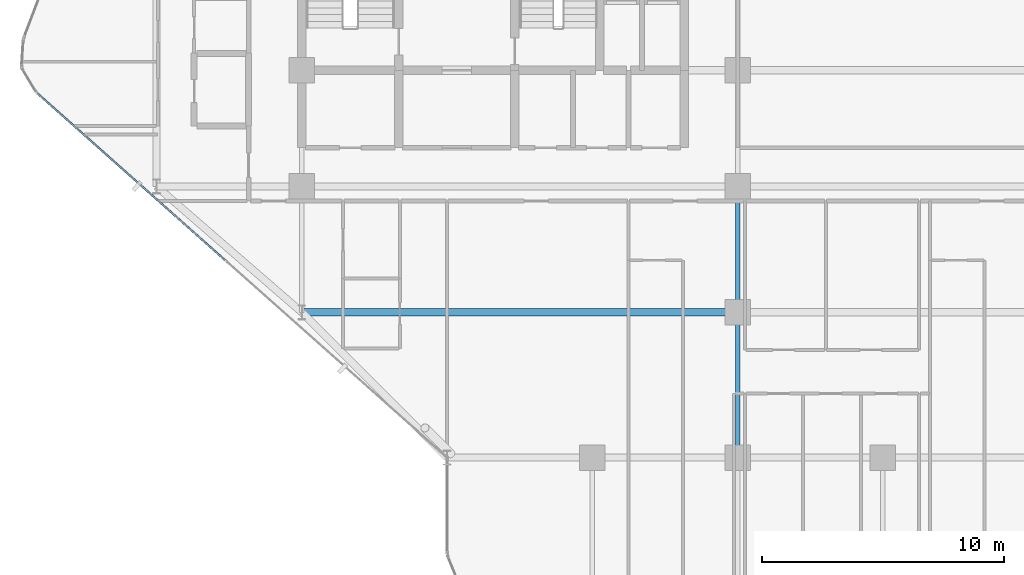
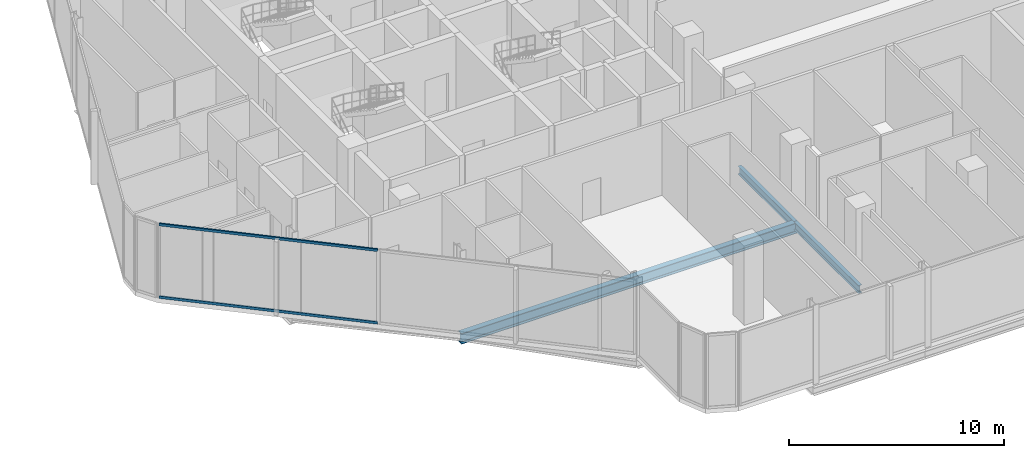
# One storey, part 5 of 30: 3 beams, 2 members, 1 element without a shape of its own.
"""IFC4 building model written with IfcOpenShell, lengths in metres."""

from ifc_helpers import new_model, si_unit, direction, frame, origin, origin_2d, place, context, subcontext, project, spatial, hollow_rectangle, i_section, extrude, material, layer, layer_set, material_profile, profile_set, type_object, element, aggregate, save


model = new_model("IFC4")

# Units and contexts
model_context = context("Model", 3, precision=1e-05, world=origin(), true_north=direction((0.0, 1.0)))
body_context = subcontext(model_context, "Body", "Model", "MODEL_VIEW")
ifc_project = project(units=[si_unit("LENGTHUNIT", "METRE"), si_unit("AREAUNIT", "SQUARE_METRE"), si_unit("VOLUMEUNIT", "CUBIC_METRE"), si_unit("PLANEANGLEUNIT", "RADIAN"), si_unit("MASSUNIT", "GRAM", prefix="KILO")], contexts=[model_context])

# Site, building, storey
site_placement = place(None, origin())
site = spatial("IfcSite", under=ifc_project, at=site_placement, CompositionType="ELEMENT")
building_placement = place(site_placement, origin())
building = spatial("IfcBuilding", under=site, at=building_placement, Name="Keshet Zoharim Tower", CompositionType="ELEMENT")
storey_placement = place(building_placement, frame((0.0, 0.0, 86.39990234375)))
storey = spatial("IfcBuildingStorey", under=building, at=storey_placement, Name="L20", CompositionType="ELEMENT", Elevation=86.39990234375)

# Beams
ifc_material_1 = material(Name="Steel S355", Category="steel")
ifc_material_profile_1 = material_profile(ifc_material_1, i_section(OverallWidth=0.300048828125, OverallDepth=0.60009765625, WebThickness=0.015380859375, FlangeThickness=0.030029296875, FilletRadius=0.027099609375, at=origin_2d()), Name="HEB600")
ifc_profile_set_1 = profile_set([ifc_material_profile_1], Name="Steel S355")
beam_type_1 = type_object("IfcBeamType", Name="BM-LNG-HB600", PredefinedType="BEAM", material=ifc_profile_set_1)
beam_1_placement = place(storey_placement, frame((15.0, 12.699951171875, -0.614990234375), z_axis=(1.0, 0.0, 0.0), x_axis=(0.0, 1.0, 0.0)))
element("IfcBeam", 1, at=beam_1_placement, inside=storey, type_object=beam_type_1, Name="L20 Primary Girder X-009", PredefinedType="BEAM", context=body_context, shape_type="SweptSolid", body=[
    extrude(i_section(OverallWidth=0.300048828125, OverallDepth=0.60009765625, WebThickness=0.015380859375, FlangeThickness=0.030029296875, FilletRadius=0.027099609375, at=origin_2d()), origin(), (0.0, 0.0, 1.0), 18.0),
])
ifc_material_profile_2 = material_profile(ifc_material_1, i_section(OverallWidth=0.18994140625, OverallDepth=0.449951171875, WebThickness=0.009521484375, FlangeThickness=0.0146484375, FilletRadius=0.02099609375, at=origin_2d()), Name="IPE450")
ifc_profile_set_2 = profile_set([ifc_material_profile_2], Name="Steel S355")
beam_type_2 = type_object("IfcBeamType", Name="BM-PRI-IP450", PredefinedType="BEAM", material=ifc_profile_set_2)
beam_2_placement = place(storey_placement, frame((33.0, 6.699951171875, -0.539794921875), z_axis=(0.0, 1.0, 0.0), x_axis=(-1.0, 0.0, 0.0)))
element("IfcBeam", 2, at=beam_2_placement, inside=storey, type_object=beam_type_2, Name="L20 Primary Girder Y-006", PredefinedType="BEAM", context=body_context, shape_type="SweptSolid", body=[
    extrude(i_section(OverallWidth=0.18994140625, OverallDepth=0.449951171875, WebThickness=0.009521484375, FlangeThickness=0.0146484375, FilletRadius=0.02099609375, at=origin_2d()), origin(), (0.0, 0.0, 1.0), 6.0),
])
beam_3_placement = place(storey_placement, frame((33.0, 12.699951171875, -0.539794921875), z_axis=(0.0, 1.0, 0.0), x_axis=(-1.0, 0.0, 0.0)))
element("IfcBeam", 3, at=beam_3_placement, inside=storey, type_object=beam_type_2, Name="L20 Primary Girder Y-007", PredefinedType="BEAM", context=body_context, shape_type="SweptSolid", body=[
    extrude(i_section(OverallWidth=0.18994140625, OverallDepth=0.449951171875, WebThickness=0.009521484375, FlangeThickness=0.0146484375, FilletRadius=0.02099609375, at=origin_2d()), origin(), (0.0, 0.0, 1.0), 5.199951171875),
])

# Curtain wall, members
ifc_material_2 = material(Name="Aluminium 6063-T6", Category="aluminium")
ifc_layer = layer(ifc_material_2, 0.159912109375)
ifc_layer_set = layer_set([ifc_layer], Name="Aluminium 6063-T6")
curtain_wall_type = type_object("IfcCurtainWallType", Name="CW-SYS-03", PredefinedType="NOTDEFINED", material=ifc_layer_set)
curtain_wall_placement = place(storey_placement, origin())
curtain_wall = element("IfcCurtainWall", 4, at=curtain_wall_placement, inside=storey, type_object=curtain_wall_type, Name="L20 Unitised Curtain Wall 07 Part 2", PredefinedType="NOTDEFINED")
ifc_material_profile_3 = material_profile(ifc_material_2, hollow_rectangle(XDim=0.080078125, YDim=0.139892578125, WallThickness=0.00390625, at=origin_2d()), Name="TRN-80x140")
ifc_profile_set_3 = profile_set([ifc_material_profile_3], Name="Aluminium 6063-T6")
member_type = type_object("IfcMemberType", Name="CWT-T14", PredefinedType="USERDEFINED", material=ifc_profile_set_3)
member_1_placement = place(storey_placement, frame((11.831787109375, 14.849609375, 0.03515625), z_axis=(-0.74741451858, 0.6643579889, 0.0), x_axis=(-0.6643579889, -0.74741451858, 0.0)))
member_1 = element("IfcMember", 5, at=member_1_placement, type_object=member_type, Name="CW-03 transom 2.1", ObjectType="TRANSOM", PredefinedType="USERDEFINED", context=body_context, shape_type="SweptSolid", body=[
    extrude(hollow_rectangle(XDim=0.080078125, YDim=0.139892578125, WallThickness=0.00390625, at=origin_2d()), origin(), (0.0, 0.0, 1.0), 10.361572265625),
])
member_2_placement = place(storey_placement, frame((11.831787109375, 14.849609375, 4.150146484375), z_axis=(-0.74741451858, 0.6643579889, 0.0), x_axis=(-0.6643579889, -0.74741451858, 0.0)))
member_2 = element("IfcMember", 6, at=member_2_placement, type_object=member_type, Name="CW-03 transom 2.2", ObjectType="TRANSOM", PredefinedType="USERDEFINED", context=body_context, shape_type="SweptSolid", body=[
    extrude(hollow_rectangle(XDim=0.080078125, YDim=0.139892578125, WallThickness=0.00390625, at=origin_2d()), origin(), (0.0, 0.0, 1.0), 10.361572265625),
])
aggregate(curtain_wall, [member_1, member_2])

save(model, "model.ifc")
